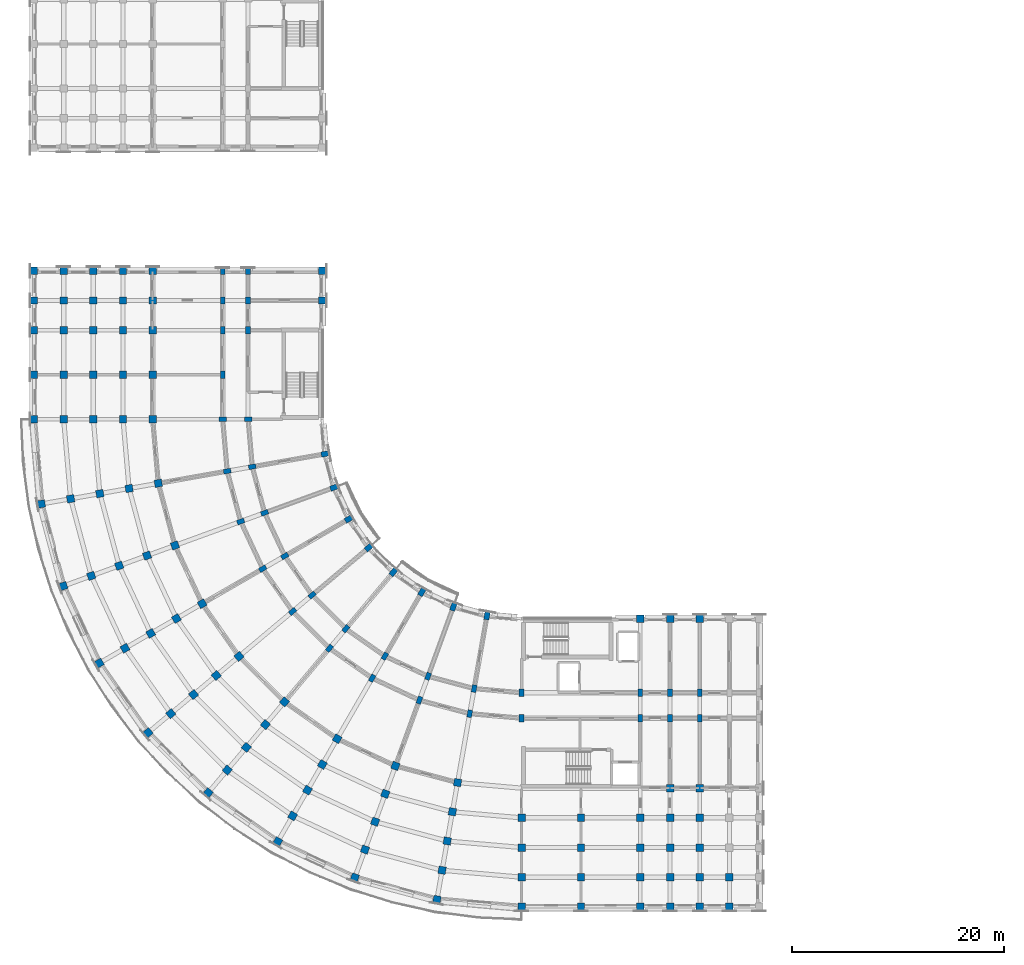
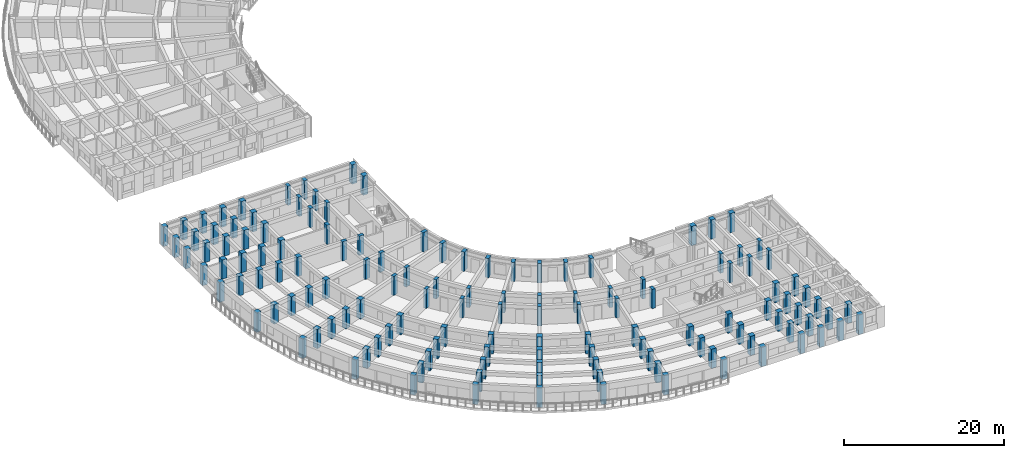
# One storey, part 1 of 57: 135 columns.
"""IFC4 building model written with IfcOpenShell, lengths in metres."""

from ifc_helpers import new_model, si_unit, direction, frame, origin, origin_2d, place, context, subcontext, project, spatial, rectangle, extrude, material, material_profile, profile_set, type_object, element, save


model = new_model("IFC4")

# Units and contexts
model_context = context("Model", 3, precision=1e-05, world=origin(), true_north=direction((0.0, 1.0)))
body_context = subcontext(model_context, "Body", "Model", "MODEL_VIEW")
ifc_project = project(units=[si_unit("LENGTHUNIT", "METRE"), si_unit("AREAUNIT", "SQUARE_METRE"), si_unit("VOLUMEUNIT", "CUBIC_METRE"), si_unit("PLANEANGLEUNIT", "RADIAN"), si_unit("MASSUNIT", "GRAM", prefix="KILO")], contexts=[model_context])

# Site, building, storey
site_placement = place(None, origin())
site = spatial("IfcSite", under=ifc_project, at=site_placement, CompositionType="ELEMENT")
building_placement = place(site_placement, origin())
building = spatial("IfcBuilding", under=site, at=building_placement, Name="Kiranvali Square Residences", CompositionType="ELEMENT")
storey_placement = place(building_placement, frame((0.0, 0.0, 18.14990234375)))
storey = spatial("IfcBuildingStorey", under=building, at=storey_placement, Name="L05", CompositionType="ELEMENT", Elevation=18.14990234375)

# Columns
ifc_material_1 = material(Name="Concrete M45 (45 MPa)", Category="concrete")
ifc_material_profile_1 = material_profile(ifc_material_1, rectangle(XDim=0.699951171875, YDim=0.699951171875, at=origin_2d()), Name="RC 700x700")
ifc_profile_set_1 = profile_set([ifc_material_profile_1], Name="Concrete M45 (45 MPa)")
column_type_1 = type_object("IfcColumnType", Name="COL-M45-700", PredefinedType="COLUMN", material=ifc_profile_set_1)
for number, where, z_axis, x_axis, name in (
    (1, (48.199951171875, 10.60009765625, 0.0), (0.0, 0.0, 1.0), (1.0, 0.0, 0.0), "Block C L05 radial column A00-R4"),
    (2, (48.199951171875, 7.800048828125, 0.0), (0.0, 0.0, 1.0), (1.0, 0.0, 0.0), "Block C L05 radial column A00-R5"),
    (3, (48.199951171875, 5.0, 0.0), (0.0, 0.0, 1.0), (1.0, 0.0, 0.0), "Block C L05 radial column A00-R6"),
):
    element("IfcColumn", number, at=place(storey_placement, frame(where, z_axis=z_axis, x_axis=x_axis)), inside=storey, type_object=column_type_1, Name=name, PredefinedType="COLUMN", context=body_context, shape_type="SweptSolid", body=[
        extrude(rectangle(XDim=0.699951171875, YDim=0.699951171875, at=origin_2d()), origin(), (0.0, 0.0, 1.0), 2.93017578125),
    ])
column_1_placement = place(storey_placement, frame((48.199951171875, 2.199951171875, 0.0), z_axis=(0.0, 0.0, 1.0), x_axis=(1.0, 0.0, 0.0)))
element("IfcColumn", 4, at=column_1_placement, inside=storey, type_object=column_type_1, Name="Block C L05 radial column A00-R7", PredefinedType="COLUMN", context=body_context, shape_type="SweptSolid", body=[
    extrude(rectangle(XDim=0.699951171875, YDim=0.699951171875, at=origin_2d()), origin(), (0.0, 0.0, 1.0), 2.97021484375),
])
for number, where, z_axis, x_axis, name in (
    (5, (42.156982421875, 13.9287109375, 0.0), (0.0, 0.0, 1.0), (-0.984807753012, 0.173648177667, 0.0), "Block C L05 radial column A01-R3"),
    (6, (41.6708984375, 11.171142578125, 0.0), (0.0, 0.0, 1.0), (-0.984807753012, 0.173648177667, 0.0), "Block C L05 radial column A01-R4"),
    (7, (41.1845703125, 8.413818359375, 0.0), (0.0, 0.0, 1.0), (-0.984807753012, 0.173648177667, 0.0), "Block C L05 radial column A01-R5"),
    (8, (40.698486328125, 5.65625, 0.0), (0.0, 0.0, 1.0), (-0.984807753012, 0.173648177667, 0.0), "Block C L05 radial column A01-R6"),
):
    element("IfcColumn", number, at=place(storey_placement, frame(where, z_axis=z_axis, x_axis=x_axis)), inside=storey, type_object=column_type_1, Name=name, PredefinedType="COLUMN", context=body_context, shape_type="SweptSolid", body=[
        extrude(rectangle(XDim=0.699951171875, YDim=0.699951171875, at=origin_2d()), origin(), (0.0, 0.0, 1.0), 2.93017578125),
    ])
column_2_placement = place(storey_placement, frame((40.212158203125, 2.89892578125, 0.0), z_axis=(0.0, 0.0, 1.0), x_axis=(-0.984807753012, 0.173648177667, 0.0)))
element("IfcColumn", 9, at=column_2_placement, inside=storey, type_object=column_type_1, Name="Block C L05 radial column A01-R7", PredefinedType="COLUMN", context=body_context, shape_type="SweptSolid", body=[
    extrude(rectangle(XDim=0.699951171875, YDim=0.699951171875, at=origin_2d()), origin(), (0.0, 0.0, 1.0), 2.97021484375),
])
for number, where, z_axis, x_axis, name in (
    (10, (36.297607421875, 15.498779296875, 0.0), (0.0, 0.0, 1.0), (-0.939692620786, 0.342020143326, 0.0), "Block C L05 radial column A02-R3"),
    (11, (35.340087890625, 12.86767578125, 0.0), (0.0, 0.0, 1.0), (-0.939692620786, 0.342020143326, 0.0), "Block C L05 radial column A02-R4"),
    (12, (34.38232421875, 10.236328125, 0.0), (0.0, 0.0, 1.0), (-0.939692620786, 0.342020143326, 0.0), "Block C L05 radial column A02-R5"),
    (13, (33.4248046875, 7.605224609375, 0.0), (0.0, 0.0, 1.0), (-0.939692620786, 0.342020143326, 0.0), "Block C L05 radial column A02-R6"),
):
    element("IfcColumn", number, at=place(storey_placement, frame(where, z_axis=z_axis, x_axis=x_axis)), inside=storey, type_object=column_type_1, Name=name, PredefinedType="COLUMN", context=body_context, shape_type="SweptSolid", body=[
        extrude(rectangle(XDim=0.699951171875, YDim=0.699951171875, at=origin_2d()), origin(), (0.0, 0.0, 1.0), 2.93017578125),
    ])
column_3_placement = place(storey_placement, frame((32.467041015625, 4.97412109375, 0.0), z_axis=(0.0, 0.0, 1.0), x_axis=(-0.939692620786, 0.342020143326, 0.0)))
element("IfcColumn", 14, at=column_3_placement, inside=storey, type_object=column_type_1, Name="Block C L05 radial column A02-R7", PredefinedType="COLUMN", context=body_context, shape_type="SweptSolid", body=[
    extrude(rectangle(XDim=0.699951171875, YDim=0.699951171875, at=origin_2d()), origin(), (0.0, 0.0, 1.0), 2.97021484375),
])
for number, where, z_axis, x_axis, name in (
    (15, (30.800048828125, 18.062255859375, 0.0), (0.0, 0.0, 1.0), (-0.866025403784, 0.5, 0.0), "Block C L05 radial column A03-R3"),
    (16, (29.39990234375, 15.637451171875, 0.0), (0.0, 0.0, 1.0), (-0.866025403784, 0.5, 0.0), "Block C L05 radial column A03-R4"),
    (17, (28.0, 13.212646484375, 0.0), (0.0, 0.0, 1.0), (-0.866025403784, 0.5, 0.0), "Block C L05 radial column A03-R5"),
    (18, (26.60009765625, 10.78759765625, 0.0), (0.0, 0.0, 1.0), (-0.866025403784, 0.5, 0.0), "Block C L05 radial column A03-R6"),
):
    element("IfcColumn", number, at=place(storey_placement, frame(where, z_axis=z_axis, x_axis=x_axis)), inside=storey, type_object=column_type_1, Name=name, PredefinedType="COLUMN", context=body_context, shape_type="SweptSolid", body=[
        extrude(rectangle(XDim=0.699951171875, YDim=0.699951171875, at=origin_2d()), origin(), (0.0, 0.0, 1.0), 2.93017578125),
    ])
column_4_placement = place(storey_placement, frame((25.199951171875, 8.36279296875, 0.0), z_axis=(0.0, 0.0, 1.0), x_axis=(-0.866025403784, 0.5, 0.0)))
element("IfcColumn", 19, at=column_4_placement, inside=storey, type_object=column_type_1, Name="Block C L05 radial column A03-R7", PredefinedType="COLUMN", context=body_context, shape_type="SweptSolid", body=[
    extrude(rectangle(XDim=0.699951171875, YDim=0.699951171875, at=origin_2d()), origin(), (0.0, 0.0, 1.0), 2.97021484375),
])
for number, where, z_axis, x_axis, name in (
    (20, (25.8310546875, 21.541748046875, 0.0), (0.0, 0.0, 1.0), (-0.766044443119, 0.642787609687, 0.0), "Block C L05 radial column A04-R3"),
    (21, (24.03125, 19.396728515625, 0.0), (0.0, 0.0, 1.0), (-0.766044443119, 0.642787609687, 0.0), "Block C L05 radial column A04-R4"),
    (22, (22.2314453125, 17.251708984375, 0.0), (0.0, 0.0, 1.0), (-0.766044443119, 0.642787609687, 0.0), "Block C L05 radial column A04-R5"),
    (23, (20.431640625, 15.10693359375, 0.0), (0.0, 0.0, 1.0), (-0.766044443119, 0.642787609687, 0.0), "Block C L05 radial column A04-R6"),
):
    element("IfcColumn", number, at=place(storey_placement, frame(where, z_axis=z_axis, x_axis=x_axis)), inside=storey, type_object=column_type_1, Name=name, PredefinedType="COLUMN", context=body_context, shape_type="SweptSolid", body=[
        extrude(rectangle(XDim=0.699951171875, YDim=0.699951171875, at=origin_2d()), origin(), (0.0, 0.0, 1.0), 2.93017578125),
    ])
column_5_placement = place(storey_placement, frame((18.6318359375, 12.9619140625, 0.0), z_axis=(0.0, 0.0, 1.0), x_axis=(-0.766044443119, 0.642787609687, 0.0)))
element("IfcColumn", 24, at=column_5_placement, inside=storey, type_object=column_type_1, Name="Block C L05 radial column A04-R7", PredefinedType="COLUMN", context=body_context, shape_type="SweptSolid", body=[
    extrude(rectangle(XDim=0.699951171875, YDim=0.699951171875, at=origin_2d()), origin(), (0.0, 0.0, 1.0), 2.97021484375),
])
for number, where, z_axis, x_axis, name in (
    (25, (21.541748046875, 25.8310546875, 0.0), (0.0, 0.0, 1.0), (-0.642787609687, 0.766044443119, 0.0), "Block C L05 radial column A05-R3"),
    (26, (19.396728515625, 24.03125, 0.0), (0.0, 0.0, 1.0), (-0.642787609687, 0.766044443119, 0.0), "Block C L05 radial column A05-R4"),
    (27, (17.251708984375, 22.2314453125, 0.0), (0.0, 0.0, 1.0), (-0.642787609687, 0.766044443119, 0.0), "Block C L05 radial column A05-R5"),
    (28, (15.10693359375, 20.431640625, 0.0), (0.0, 0.0, 1.0), (-0.642787609687, 0.766044443119, 0.0), "Block C L05 radial column A05-R6"),
):
    element("IfcColumn", number, at=place(storey_placement, frame(where, z_axis=z_axis, x_axis=x_axis)), inside=storey, type_object=column_type_1, Name=name, PredefinedType="COLUMN", context=body_context, shape_type="SweptSolid", body=[
        extrude(rectangle(XDim=0.699951171875, YDim=0.699951171875, at=origin_2d()), origin(), (0.0, 0.0, 1.0), 2.93017578125),
    ])
column_6_placement = place(storey_placement, frame((12.9619140625, 18.6318359375, 0.0), z_axis=(0.0, 0.0, 1.0), x_axis=(-0.642787609687, 0.766044443119, 0.0)))
element("IfcColumn", 29, at=column_6_placement, inside=storey, type_object=column_type_1, Name="Block C L05 radial column A05-R7", PredefinedType="COLUMN", context=body_context, shape_type="SweptSolid", body=[
    extrude(rectangle(XDim=0.699951171875, YDim=0.699951171875, at=origin_2d()), origin(), (0.0, 0.0, 1.0), 2.97021484375),
])
for number, where, z_axis, x_axis, name in (
    (30, (18.062255859375, 30.800048828125, 0.0), (0.0, 0.0, 1.0), (-0.5, 0.866025403784, 0.0), "Block C L05 radial column A06-R3"),
    (31, (15.637451171875, 29.39990234375, 0.0), (0.0, 0.0, 1.0), (-0.5, 0.866025403784, 0.0), "Block C L05 radial column A06-R4"),
    (32, (13.212646484375, 28.0, 0.0), (0.0, 0.0, 1.0), (-0.5, 0.866025403784, 0.0), "Block C L05 radial column A06-R5"),
    (33, (10.78759765625, 26.60009765625, 0.0), (0.0, 0.0, 1.0), (-0.5, 0.866025403784, 0.0), "Block C L05 radial column A06-R6"),
):
    element("IfcColumn", number, at=place(storey_placement, frame(where, z_axis=z_axis, x_axis=x_axis)), inside=storey, type_object=column_type_1, Name=name, PredefinedType="COLUMN", context=body_context, shape_type="SweptSolid", body=[
        extrude(rectangle(XDim=0.699951171875, YDim=0.699951171875, at=origin_2d()), origin(), (0.0, 0.0, 1.0), 2.93017578125),
    ])
column_7_placement = place(storey_placement, frame((8.36279296875, 25.199951171875, 0.0), z_axis=(0.0, 0.0, 1.0), x_axis=(-0.5, 0.866025403784, 0.0)))
element("IfcColumn", 34, at=column_7_placement, inside=storey, type_object=column_type_1, Name="Block C L05 radial column A06-R7", PredefinedType="COLUMN", context=body_context, shape_type="SweptSolid", body=[
    extrude(rectangle(XDim=0.699951171875, YDim=0.699951171875, at=origin_2d()), origin(), (0.0, 0.0, 1.0), 2.97021484375),
])
for number, where, z_axis, x_axis, name in (
    (35, (15.498779296875, 36.297607421875, 0.0), (0.0, 0.0, 1.0), (-0.342020143326, 0.939692620786, 0.0), "Block C L05 radial column A07-R3"),
    (36, (12.86767578125, 35.340087890625, 0.0), (0.0, 0.0, 1.0), (-0.342020143326, 0.939692620786, 0.0), "Block C L05 radial column A07-R4"),
    (37, (10.236328125, 34.38232421875, 0.0), (0.0, 0.0, 1.0), (-0.342020143326, 0.939692620786, 0.0), "Block C L05 radial column A07-R5"),
    (38, (7.605224609375, 33.4248046875, 0.0), (0.0, 0.0, 1.0), (-0.342020143326, 0.939692620786, 0.0), "Block C L05 radial column A07-R6"),
):
    element("IfcColumn", number, at=place(storey_placement, frame(where, z_axis=z_axis, x_axis=x_axis)), inside=storey, type_object=column_type_1, Name=name, PredefinedType="COLUMN", context=body_context, shape_type="SweptSolid", body=[
        extrude(rectangle(XDim=0.699951171875, YDim=0.699951171875, at=origin_2d()), origin(), (0.0, 0.0, 1.0), 2.93017578125),
    ])
column_8_placement = place(storey_placement, frame((4.97412109375, 32.467041015625, 0.0), z_axis=(0.0, 0.0, 1.0), x_axis=(-0.342020143326, 0.939692620786, 0.0)))
element("IfcColumn", 39, at=column_8_placement, inside=storey, type_object=column_type_1, Name="Block C L05 radial column A07-R7", PredefinedType="COLUMN", context=body_context, shape_type="SweptSolid", body=[
    extrude(rectangle(XDim=0.699951171875, YDim=0.699951171875, at=origin_2d()), origin(), (0.0, 0.0, 1.0), 2.97021484375),
])
for number, where, z_axis, x_axis, name in (
    (40, (13.9287109375, 42.156982421875, 0.0), (0.0, 0.0, 1.0), (-0.173648177667, 0.984807753012, 0.0), "Block C L05 radial column A08-R3"),
    (41, (11.171142578125, 41.6708984375, 0.0), (0.0, 0.0, 1.0), (-0.173648177667, 0.984807753012, 0.0), "Block C L05 radial column A08-R4"),
    (42, (8.413818359375, 41.1845703125, 0.0), (0.0, 0.0, 1.0), (-0.173648177667, 0.984807753012, 0.0), "Block C L05 radial column A08-R5"),
    (43, (5.65625, 40.698486328125, 0.0), (0.0, 0.0, 1.0), (-0.173648177667, 0.984807753012, 0.0), "Block C L05 radial column A08-R6"),
):
    element("IfcColumn", number, at=place(storey_placement, frame(where, z_axis=z_axis, x_axis=x_axis)), inside=storey, type_object=column_type_1, Name=name, PredefinedType="COLUMN", context=body_context, shape_type="SweptSolid", body=[
        extrude(rectangle(XDim=0.699951171875, YDim=0.699951171875, at=origin_2d()), origin(), (0.0, 0.0, 1.0), 2.93017578125),
    ])
column_9_placement = place(storey_placement, frame((2.89892578125, 40.212158203125, 0.0), z_axis=(0.0, 0.0, 1.0), x_axis=(-0.173648177667, 0.984807753012, 0.0)))
element("IfcColumn", 44, at=column_9_placement, inside=storey, type_object=column_type_1, Name="Block C L05 radial column A08-R7", PredefinedType="COLUMN", context=body_context, shape_type="SweptSolid", body=[
    extrude(rectangle(XDim=0.699951171875, YDim=0.699951171875, at=origin_2d()), origin(), (0.0, 0.0, 1.0), 2.97021484375),
])
for number, where, z_axis, x_axis, name in (
    (45, (13.39990234375, 48.199951171875, 0.0), (0.0, 0.0, 1.0), (0.0, 1.0, 0.0), "Block C L05 radial column A09-R3"),
    (46, (10.60009765625, 48.199951171875, 0.0), (0.0, 0.0, 1.0), (0.0, 1.0, 0.0), "Block C L05 radial column A09-R4"),
    (47, (7.800048828125, 48.199951171875, 0.0), (0.0, 0.0, 1.0), (0.0, 1.0, 0.0), "Block C L05 radial column A09-R5"),
    (48, (5.0, 48.199951171875, 0.0), (0.0, 0.0, 1.0), (0.0, 1.0, 0.0), "Block C L05 radial column A09-R6"),
):
    element("IfcColumn", number, at=place(storey_placement, frame(where, z_axis=z_axis, x_axis=x_axis)), inside=storey, type_object=column_type_1, Name=name, PredefinedType="COLUMN", context=body_context, shape_type="SweptSolid", body=[
        extrude(rectangle(XDim=0.699951171875, YDim=0.699951171875, at=origin_2d()), origin(), (0.0, 0.0, 1.0), 2.93017578125),
    ])
column_10_placement = place(storey_placement, frame((2.199951171875, 48.199951171875, 0.0), z_axis=(0.0, 0.0, 1.0), x_axis=(0.0, 1.0, 0.0)))
element("IfcColumn", 49, at=column_10_placement, inside=storey, type_object=column_type_1, Name="Block C L05 radial column A09-R7", PredefinedType="COLUMN", context=body_context, shape_type="SweptSolid", body=[
    extrude(rectangle(XDim=0.699951171875, YDim=0.699951171875, at=origin_2d()), origin(), (0.0, 0.0, 1.0), 2.97021484375),
])
for number, where, z_axis, x_axis, name in (
    (50, (53.800048828125, 10.60009765625, 0.0), (0.0, 0.0, 1.0), (1.0, 0.0, 0.0), "Block C L05 core-front column U0-R4"),
    (51, (53.800048828125, 7.800048828125, 0.0), (0.0, 0.0, 1.0), (1.0, 0.0, 0.0), "Block C L05 core-front column U0-R5"),
    (52, (53.800048828125, 5.0, 0.0), (0.0, 0.0, 1.0), (1.0, 0.0, 0.0), "Block C L05 core-front column U0-R6"),
):
    element("IfcColumn", number, at=place(storey_placement, frame(where, z_axis=z_axis, x_axis=x_axis)), inside=storey, type_object=column_type_1, Name=name, PredefinedType="COLUMN", context=body_context, shape_type="SweptSolid", body=[
        extrude(rectangle(XDim=0.699951171875, YDim=0.699951171875, at=origin_2d()), origin(), (0.0, 0.0, 1.0), 2.93017578125),
    ])
column_11_placement = place(storey_placement, frame((53.800048828125, 2.199951171875, 0.0), z_axis=(0.0, 0.0, 1.0), x_axis=(1.0, 0.0, 0.0)))
element("IfcColumn", 53, at=column_11_placement, inside=storey, type_object=column_type_1, Name="Block C L05 core-front column U0-R7", PredefinedType="COLUMN", context=body_context, shape_type="SweptSolid", body=[
    extrude(rectangle(XDim=0.699951171875, YDim=0.699951171875, at=origin_2d()), origin(), (0.0, 0.0, 1.0), 2.97021484375),
])
for number, where, z_axis, x_axis, name in (
    (54, (59.39990234375, 29.39990234375, 0.0), (0.0, 0.0, 1.0), (1.0, 0.0, 0.0), "Block C L05 Arm 1 column U1-R0"),
    (55, (59.39990234375, 10.60009765625, 0.0), (0.0, 0.0, 1.0), (1.0, 0.0, 0.0), "Block C L05 Arm 1 column U1-R4"),
    (56, (59.39990234375, 7.800048828125, 0.0), (0.0, 0.0, 1.0), (1.0, 0.0, 0.0), "Block C L05 Arm 1 column U1-R5"),
    (57, (59.39990234375, 5.0, 0.0), (0.0, 0.0, 1.0), (1.0, 0.0, 0.0), "Block C L05 Arm 1 column U1-R6"),
):
    element("IfcColumn", number, at=place(storey_placement, frame(where, z_axis=z_axis, x_axis=x_axis)), inside=storey, type_object=column_type_1, Name=name, PredefinedType="COLUMN", context=body_context, shape_type="SweptSolid", body=[
        extrude(rectangle(XDim=0.699951171875, YDim=0.699951171875, at=origin_2d()), origin(), (0.0, 0.0, 1.0), 2.93017578125),
    ])
column_12_placement = place(storey_placement, frame((59.39990234375, 2.199951171875, 0.0), z_axis=(0.0, 0.0, 1.0), x_axis=(1.0, 0.0, 0.0)))
element("IfcColumn", 58, at=column_12_placement, inside=storey, type_object=column_type_1, Name="Block C L05 Arm 1 column U1-R7", PredefinedType="COLUMN", context=body_context, shape_type="SweptSolid", body=[
    extrude(rectangle(XDim=0.699951171875, YDim=0.699951171875, at=origin_2d()), origin(), (0.0, 0.0, 1.0), 2.97021484375),
])
for number, where, z_axis, x_axis, name in (
    (59, (62.199951171875, 29.39990234375, 0.0), (0.0, 0.0, 1.0), (1.0, 0.0, 0.0), "Block C L05 Arm 1 column U2-R0"),
    (60, (62.199951171875, 13.39990234375, 0.0), (0.0, 0.0, 1.0), (1.0, 0.0, 0.0), "Block C L05 Arm 1 column U2-R3"),
    (61, (62.199951171875, 10.60009765625, 0.0), (0.0, 0.0, 1.0), (1.0, 0.0, 0.0), "Block C L05 Arm 1 column U2-R4"),
    (62, (62.199951171875, 7.800048828125, 0.0), (0.0, 0.0, 1.0), (1.0, 0.0, 0.0), "Block C L05 Arm 1 column U2-R5"),
    (63, (62.199951171875, 5.0, 0.0), (0.0, 0.0, 1.0), (1.0, 0.0, 0.0), "Block C L05 Arm 1 column U2-R6"),
):
    element("IfcColumn", number, at=place(storey_placement, frame(where, z_axis=z_axis, x_axis=x_axis)), inside=storey, type_object=column_type_1, Name=name, PredefinedType="COLUMN", context=body_context, shape_type="SweptSolid", body=[
        extrude(rectangle(XDim=0.699951171875, YDim=0.699951171875, at=origin_2d()), origin(), (0.0, 0.0, 1.0), 2.93017578125),
    ])
column_13_placement = place(storey_placement, frame((62.199951171875, 2.199951171875, 0.0), z_axis=(0.0, 0.0, 1.0), x_axis=(1.0, 0.0, 0.0)))
element("IfcColumn", 64, at=column_13_placement, inside=storey, type_object=column_type_1, Name="Block C L05 Arm 1 column U2-R7", PredefinedType="COLUMN", context=body_context, shape_type="SweptSolid", body=[
    extrude(rectangle(XDim=0.699951171875, YDim=0.699951171875, at=origin_2d()), origin(), (0.0, 0.0, 1.0), 2.97021484375),
])
for number, where, z_axis, x_axis, name in (
    (65, (65.0, 29.39990234375, 0.0), (0.0, 0.0, 1.0), (1.0, 0.0, 0.0), "Block C L05 Arm 1 column U3-R0"),
    (66, (65.0, 13.39990234375, 0.0), (0.0, 0.0, 1.0), (1.0, 0.0, 0.0), "Block C L05 Arm 1 column U3-R3"),
    (67, (65.0, 10.60009765625, 0.0), (0.0, 0.0, 1.0), (1.0, 0.0, 0.0), "Block C L05 Arm 1 column U3-R4"),
    (68, (65.0, 7.800048828125, 0.0), (0.0, 0.0, 1.0), (1.0, 0.0, 0.0), "Block C L05 Arm 1 column U3-R5"),
    (69, (65.0, 5.0, 0.0), (0.0, 0.0, 1.0), (1.0, 0.0, 0.0), "Block C L05 Arm 1 column U3-R6"),
):
    element("IfcColumn", number, at=place(storey_placement, frame(where, z_axis=z_axis, x_axis=x_axis)), inside=storey, type_object=column_type_1, Name=name, PredefinedType="COLUMN", context=body_context, shape_type="SweptSolid", body=[
        extrude(rectangle(XDim=0.699951171875, YDim=0.699951171875, at=origin_2d()), origin(), (0.0, 0.0, 1.0), 2.93017578125),
    ])
column_14_placement = place(storey_placement, frame((65.0, 2.199951171875, 0.0), z_axis=(0.0, 0.0, 1.0), x_axis=(1.0, 0.0, 0.0)))
element("IfcColumn", 70, at=column_14_placement, inside=storey, type_object=column_type_1, Name="Block C L05 Arm 1 column U3-R7", PredefinedType="COLUMN", context=body_context, shape_type="SweptSolid", body=[
    extrude(rectangle(XDim=0.699951171875, YDim=0.699951171875, at=origin_2d()), origin(), (0.0, 0.0, 1.0), 2.97021484375),
])
column_15_placement = place(storey_placement, frame((67.800048828125, 5.0, 0.0), z_axis=(0.0, 0.0, 1.0), x_axis=(1.0, 0.0, 0.0)))
element("IfcColumn", 71, at=column_15_placement, inside=storey, type_object=column_type_1, Name="Block C L05 Arm 1 column U4-R6", PredefinedType="COLUMN", context=body_context, shape_type="SweptSolid", body=[
    extrude(rectangle(XDim=0.699951171875, YDim=0.699951171875, at=origin_2d()), origin(), (0.0, 0.0, 1.0), 2.93017578125),
])
column_16_placement = place(storey_placement, frame((67.800048828125, 2.199951171875, 0.0), z_axis=(0.0, 0.0, 1.0), x_axis=(1.0, 0.0, 0.0)))
element("IfcColumn", 72, at=column_16_placement, inside=storey, type_object=column_type_1, Name="Block C L05 Arm 1 column U4-R7", PredefinedType="COLUMN", context=body_context, shape_type="SweptSolid", body=[
    extrude(rectangle(XDim=0.699951171875, YDim=0.699951171875, at=origin_2d()), origin(), (0.0, 0.0, 1.0), 2.97021484375),
])
for number, where, z_axis, x_axis, name in (
    (73, (13.39990234375, 52.39990234375, 0.0), (0.0, 0.0, 1.0), (1.0, 0.0, 0.0), "Block C L05 Arm 2 mid-core column V0-R3"),
    (74, (10.60009765625, 52.39990234375, 0.0), (0.0, 0.0, 1.0), (1.0, 0.0, 0.0), "Block C L05 Arm 2 mid-core column V0-R4"),
    (75, (7.800048828125, 52.39990234375, 0.0), (0.0, 0.0, 1.0), (1.0, 0.0, 0.0), "Block C L05 Arm 2 mid-core column V0-R5"),
    (76, (5.0, 52.39990234375, 0.0), (0.0, 0.0, 1.0), (1.0, 0.0, 0.0), "Block C L05 Arm 2 mid-core column V0-R6"),
):
    element("IfcColumn", number, at=place(storey_placement, frame(where, z_axis=z_axis, x_axis=x_axis)), inside=storey, type_object=column_type_1, Name=name, PredefinedType="COLUMN", context=body_context, shape_type="SweptSolid", body=[
        extrude(rectangle(XDim=0.699951171875, YDim=0.699951171875, at=origin_2d()), origin(), (0.0, 0.0, 1.0), 2.93017578125),
    ])
column_17_placement = place(storey_placement, frame((2.199951171875, 52.39990234375, 0.0), z_axis=(0.0, 0.0, 1.0), x_axis=(1.0, 0.0, 0.0)))
element("IfcColumn", 77, at=column_17_placement, inside=storey, type_object=column_type_1, Name="Block C L05 Arm 2 mid-core column V0-R7", PredefinedType="COLUMN", context=body_context, shape_type="SweptSolid", body=[
    extrude(rectangle(XDim=0.699951171875, YDim=0.699951171875, at=origin_2d()), origin(), (0.0, 0.0, 1.0), 2.97021484375),
])
for number, where, z_axis, x_axis, name in (
    (78, (13.39990234375, 56.60009765625, 0.0), (0.0, 0.0, 1.0), (1.0, 0.0, 0.0), "Block C L05 Arm 2 column V1-R3"),
    (79, (10.60009765625, 56.60009765625, 0.0), (0.0, 0.0, 1.0), (1.0, 0.0, 0.0), "Block C L05 Arm 2 column V1-R4"),
    (80, (7.800048828125, 56.60009765625, 0.0), (0.0, 0.0, 1.0), (1.0, 0.0, 0.0), "Block C L05 Arm 2 column V1-R5"),
    (81, (5.0, 56.60009765625, 0.0), (0.0, 0.0, 1.0), (1.0, 0.0, 0.0), "Block C L05 Arm 2 column V1-R6"),
):
    element("IfcColumn", number, at=place(storey_placement, frame(where, z_axis=z_axis, x_axis=x_axis)), inside=storey, type_object=column_type_1, Name=name, PredefinedType="COLUMN", context=body_context, shape_type="SweptSolid", body=[
        extrude(rectangle(XDim=0.699951171875, YDim=0.699951171875, at=origin_2d()), origin(), (0.0, 0.0, 1.0), 2.93017578125),
    ])
column_18_placement = place(storey_placement, frame((2.199951171875, 56.60009765625, 0.0), z_axis=(0.0, 0.0, 1.0), x_axis=(1.0, 0.0, 0.0)))
element("IfcColumn", 82, at=column_18_placement, inside=storey, type_object=column_type_1, Name="Block C L05 Arm 2 column V1-R7", PredefinedType="COLUMN", context=body_context, shape_type="SweptSolid", body=[
    extrude(rectangle(XDim=0.699951171875, YDim=0.699951171875, at=origin_2d()), origin(), (0.0, 0.0, 1.0), 2.97021484375),
])
for number, where, z_axis, x_axis, name in (
    (83, (29.39990234375, 59.39990234375, 0.0), (0.0, 0.0, 1.0), (1.0, 0.0, 0.0), "Block C L05 Arm 2 column V2-R0"),
    (84, (13.39990234375, 59.39990234375, 0.0), (0.0, 0.0, 1.0), (1.0, 0.0, 0.0), "Block C L05 Arm 2 column V2-R3"),
    (85, (10.60009765625, 59.39990234375, 0.0), (0.0, 0.0, 1.0), (1.0, 0.0, 0.0), "Block C L05 Arm 2 column V2-R4"),
    (86, (7.800048828125, 59.39990234375, 0.0), (0.0, 0.0, 1.0), (1.0, 0.0, 0.0), "Block C L05 Arm 2 column V2-R5"),
    (87, (5.0, 59.39990234375, 0.0), (0.0, 0.0, 1.0), (1.0, 0.0, 0.0), "Block C L05 Arm 2 column V2-R6"),
):
    element("IfcColumn", number, at=place(storey_placement, frame(where, z_axis=z_axis, x_axis=x_axis)), inside=storey, type_object=column_type_1, Name=name, PredefinedType="COLUMN", context=body_context, shape_type="SweptSolid", body=[
        extrude(rectangle(XDim=0.699951171875, YDim=0.699951171875, at=origin_2d()), origin(), (0.0, 0.0, 1.0), 2.93017578125),
    ])
column_19_placement = place(storey_placement, frame((2.199951171875, 59.39990234375, 0.0), z_axis=(0.0, 0.0, 1.0), x_axis=(1.0, 0.0, 0.0)))
element("IfcColumn", 88, at=column_19_placement, inside=storey, type_object=column_type_1, Name="Block C L05 Arm 2 column V2-R7", PredefinedType="COLUMN", context=body_context, shape_type="SweptSolid", body=[
    extrude(rectangle(XDim=0.699951171875, YDim=0.699951171875, at=origin_2d()), origin(), (0.0, 0.0, 1.0), 2.97021484375),
])
for number, where, z_axis, x_axis, name in (
    (89, (29.39990234375, 62.199951171875, 0.0), (0.0, 0.0, 1.0), (1.0, 0.0, 0.0), "Block C L05 Arm 2 column V3-R0"),
    (90, (13.39990234375, 62.199951171875, 0.0), (0.0, 0.0, 1.0), (1.0, 0.0, 0.0), "Block C L05 Arm 2 column V3-R3"),
    (91, (10.60009765625, 62.199951171875, 0.0), (0.0, 0.0, 1.0), (1.0, 0.0, 0.0), "Block C L05 Arm 2 column V3-R4"),
    (92, (7.800048828125, 62.199951171875, 0.0), (0.0, 0.0, 1.0), (1.0, 0.0, 0.0), "Block C L05 Arm 2 column V3-R5"),
    (93, (5.0, 62.199951171875, 0.0), (0.0, 0.0, 1.0), (1.0, 0.0, 0.0), "Block C L05 Arm 2 column V3-R6"),
):
    element("IfcColumn", number, at=place(storey_placement, frame(where, z_axis=z_axis, x_axis=x_axis)), inside=storey, type_object=column_type_1, Name=name, PredefinedType="COLUMN", context=body_context, shape_type="SweptSolid", body=[
        extrude(rectangle(XDim=0.699951171875, YDim=0.699951171875, at=origin_2d()), origin(), (0.0, 0.0, 1.0), 2.93017578125),
    ])
column_20_placement = place(storey_placement, frame((2.199951171875, 62.199951171875, 0.0), z_axis=(0.0, 0.0, 1.0), x_axis=(1.0, 0.0, 0.0)))
element("IfcColumn", 94, at=column_20_placement, inside=storey, type_object=column_type_1, Name="Block C L05 Arm 2 column V3-R7", PredefinedType="COLUMN", context=body_context, shape_type="SweptSolid", body=[
    extrude(rectangle(XDim=0.699951171875, YDim=0.699951171875, at=origin_2d()), origin(), (0.0, 0.0, 1.0), 2.97021484375),
])
ifc_material_profile_2 = material_profile(ifc_material_1, rectangle(XDim=0.449951171875, YDim=0.699951171875, at=origin_2d()), Name="RC 700x450")
ifc_profile_set_2 = profile_set([ifc_material_profile_2], Name="Concrete M45 (45 MPa)")
column_type_2 = type_object("IfcColumnType", Name="COL-M45-700x450", PredefinedType="COLUMN", material=ifc_profile_set_2)
for number, where, z_axis, x_axis, name in (
    (95, (48.199951171875, 22.39990234375, 0.0), (0.0, 0.0, 1.0), (1.0, 0.0, 0.0), "Block C L05 radial column A00-R1"),
    (96, (48.199951171875, 20.0, 0.0), (0.0, 0.0, 1.0), (1.0, 0.0, 0.0), "Block C L05 radial column A00-R2"),
    (97, (43.719970703125, 22.7919921875, 0.0), (0.0, 0.0, 1.0), (-0.984807753012, 0.173648177667, 0.0), "Block C L05 radial column A01-R1"),
    (98, (43.30322265625, 20.428466796875, 0.0), (0.0, 0.0, 1.0), (-0.984807753012, 0.173648177667, 0.0), "Block C L05 radial column A01-R2"),
    (99, (39.3759765625, 23.955810546875, 0.0), (0.0, 0.0, 1.0), (-0.939692620786, 0.342020143326, 0.0), "Block C L05 radial column A02-R1"),
    (100, (38.554931640625, 21.70068359375, 0.0), (0.0, 0.0, 1.0), (-0.939692620786, 0.342020143326, 0.0), "Block C L05 radial column A02-R2"),
    (101, (35.300048828125, 25.8564453125, 0.0), (0.0, 0.0, 1.0), (-0.866025403784, 0.5, 0.0), "Block C L05 radial column A03-R1"),
    (102, (34.10009765625, 23.778076171875, 0.0), (0.0, 0.0, 1.0), (-0.866025403784, 0.5, 0.0), "Block C L05 radial column A03-R2"),
    (103, (31.615966796875, 28.43603515625, 0.0), (0.0, 0.0, 1.0), (-0.766044443119, 0.642787609687, 0.0), "Block C L05 radial column A04-R1"),
    (104, (30.073486328125, 26.59765625, 0.0), (0.0, 0.0, 1.0), (-0.766044443119, 0.642787609687, 0.0), "Block C L05 radial column A04-R2"),
    (105, (28.43603515625, 31.615966796875, 0.0), (0.0, 0.0, 1.0), (-0.642787609687, 0.766044443119, 0.0), "Block C L05 radial column A05-R1"),
    (106, (26.59765625, 30.073486328125, 0.0), (0.0, 0.0, 1.0), (-0.642787609687, 0.766044443119, 0.0), "Block C L05 radial column A05-R2"),
    (107, (25.8564453125, 35.300048828125, 0.0), (0.0, 0.0, 1.0), (-0.5, 0.866025403784, 0.0), "Block C L05 radial column A06-R1"),
    (108, (23.778076171875, 34.10009765625, 0.0), (0.0, 0.0, 1.0), (-0.5, 0.866025403784, 0.0), "Block C L05 radial column A06-R2"),
    (109, (23.955810546875, 39.3759765625, 0.0), (0.0, 0.0, 1.0), (-0.342020143326, 0.939692620786, 0.0), "Block C L05 radial column A07-R1"),
    (110, (21.70068359375, 38.554931640625, 0.0), (0.0, 0.0, 1.0), (-0.342020143326, 0.939692620786, 0.0), "Block C L05 radial column A07-R2"),
    (111, (22.7919921875, 43.719970703125, 0.0), (0.0, 0.0, 1.0), (-0.173648177667, 0.984807753012, 0.0), "Block C L05 radial column A08-R1"),
    (112, (20.428466796875, 43.30322265625, 0.0), (0.0, 0.0, 1.0), (-0.173648177667, 0.984807753012, 0.0), "Block C L05 radial column A08-R2"),
    (113, (22.39990234375, 48.199951171875, 0.0), (0.0, 0.0, 1.0), (0.0, 1.0, 0.0), "Block C L05 radial column A09-R1"),
    (114, (20.0, 48.199951171875, 0.0), (0.0, 0.0, 1.0), (0.0, 1.0, 0.0), "Block C L05 radial column A09-R2"),
    (115, (59.39990234375, 22.39990234375, 0.0), (0.0, 0.0, 1.0), (1.0, 0.0, 0.0), "Block C L05 Arm 1 column U1-R1"),
    (116, (59.39990234375, 20.0, 0.0), (0.0, 0.0, 1.0), (1.0, 0.0, 0.0), "Block C L05 Arm 1 column U1-R2"),
    (117, (62.199951171875, 22.39990234375, 0.0), (0.0, 0.0, 1.0), (1.0, 0.0, 0.0), "Block C L05 Arm 1 column U2-R1"),
    (118, (62.199951171875, 20.0, 0.0), (0.0, 0.0, 1.0), (1.0, 0.0, 0.0), "Block C L05 Arm 1 column U2-R2"),
    (119, (65.0, 22.39990234375, 0.0), (0.0, 0.0, 1.0), (1.0, 0.0, 0.0), "Block C L05 Arm 1 column U3-R1"),
    (120, (65.0, 20.0, 0.0), (0.0, 0.0, 1.0), (1.0, 0.0, 0.0), "Block C L05 Arm 1 column U3-R2"),
    (121, (20.0, 52.39990234375, 0.0), (0.0, 0.0, 1.0), (1.0, 0.0, 0.0), "Block C L05 Arm 2 mid-core column V0-R2"),
    (122, (22.39990234375, 56.60009765625, 0.0), (0.0, 0.0, 1.0), (1.0, 0.0, 0.0), "Block C L05 Arm 2 column V1-R1"),
    (123, (20.0, 56.60009765625, 0.0), (0.0, 0.0, 1.0), (1.0, 0.0, 0.0), "Block C L05 Arm 2 column V1-R2"),
    (124, (22.39990234375, 59.39990234375, 0.0), (0.0, 0.0, 1.0), (1.0, 0.0, 0.0), "Block C L05 Arm 2 column V2-R1"),
    (125, (20.0, 59.39990234375, 0.0), (0.0, 0.0, 1.0), (1.0, 0.0, 0.0), "Block C L05 Arm 2 column V2-R2"),
    (126, (22.39990234375, 62.199951171875, 0.0), (0.0, 0.0, 1.0), (1.0, 0.0, 0.0), "Block C L05 Arm 2 column V3-R1"),
    (127, (20.0, 62.199951171875, 0.0), (0.0, 0.0, 1.0), (1.0, 0.0, 0.0), "Block C L05 Arm 2 column V3-R2"),
):
    element("IfcColumn", number, at=place(storey_placement, frame(where, z_axis=z_axis, x_axis=x_axis)), inside=storey, type_object=column_type_2, Name=name, PredefinedType="COLUMN", context=body_context, shape_type="SweptSolid", body=[
        extrude(rectangle(XDim=0.449951171875, YDim=0.699951171875, at=origin_2d()), origin(), (0.0, 0.0, 1.0), 2.93017578125),
    ])
ifc_material_2 = material(Name="Concrete M50 (50 MPa)", Category="concrete")
ifc_material_profile_3 = material_profile(ifc_material_2, rectangle(XDim=0.5, YDim=0.800048828125, at=origin_2d()), Name="RC 800x500")
ifc_profile_set_3 = profile_set([ifc_material_profile_3], Name="Concrete M50 (50 MPa)")
column_type_3 = type_object("IfcColumnType", Name="COL-M50-800x500", PredefinedType="COLUMN", material=ifc_profile_set_3)
for number, where, z_axis, x_axis, name in (
    (128, (44.935302734375, 29.685546875, 0.0), (0.0, 0.0, 1.0), (-0.984807753012, 0.173648177667, 0.0), "Block C L05 radial column A01-R0"),
    (129, (41.77001953125, 30.53369140625, 0.0), (0.0, 0.0, 1.0), (-0.939692620786, 0.342020143326, 0.0), "Block C L05 radial column A02-R0"),
    (130, (38.800048828125, 31.918701171875, 0.0), (0.0, 0.0, 1.0), (-0.866025403784, 0.5, 0.0), "Block C L05 radial column A03-R0"),
    (131, (36.115478515625, 33.79833984375, 0.0), (0.0, 0.0, 1.0), (-0.766044443119, 0.642787609687, 0.0), "Block C L05 radial column A04-R0"),
    (132, (33.79833984375, 36.115478515625, 0.0), (0.0, 0.0, 1.0), (-0.642787609687, 0.766044443119, 0.0), "Block C L05 radial column A05-R0"),
    (133, (31.918701171875, 38.800048828125, 0.0), (0.0, 0.0, 1.0), (-0.5, 0.866025403784, 0.0), "Block C L05 radial column A06-R0"),
    (134, (30.53369140625, 41.77001953125, 0.0), (0.0, 0.0, 1.0), (-0.342020143326, 0.939692620786, 0.0), "Block C L05 radial column A07-R0"),
    (135, (29.685546875, 44.935302734375, 0.0), (0.0, 0.0, 1.0), (-0.173648177667, 0.984807753012, 0.0), "Block C L05 radial column A08-R0"),
):
    element("IfcColumn", number, at=place(storey_placement, frame(where, z_axis=z_axis, x_axis=x_axis)), inside=storey, type_object=column_type_3, Name=name, PredefinedType="COLUMN", context=body_context, shape_type="SweptSolid", body=[
        extrude(rectangle(XDim=0.5, YDim=0.800048828125, at=origin_2d()), origin(), (0.0, 0.0, 1.0), 2.93017578125),
    ])

save(model, "model.ifc")
